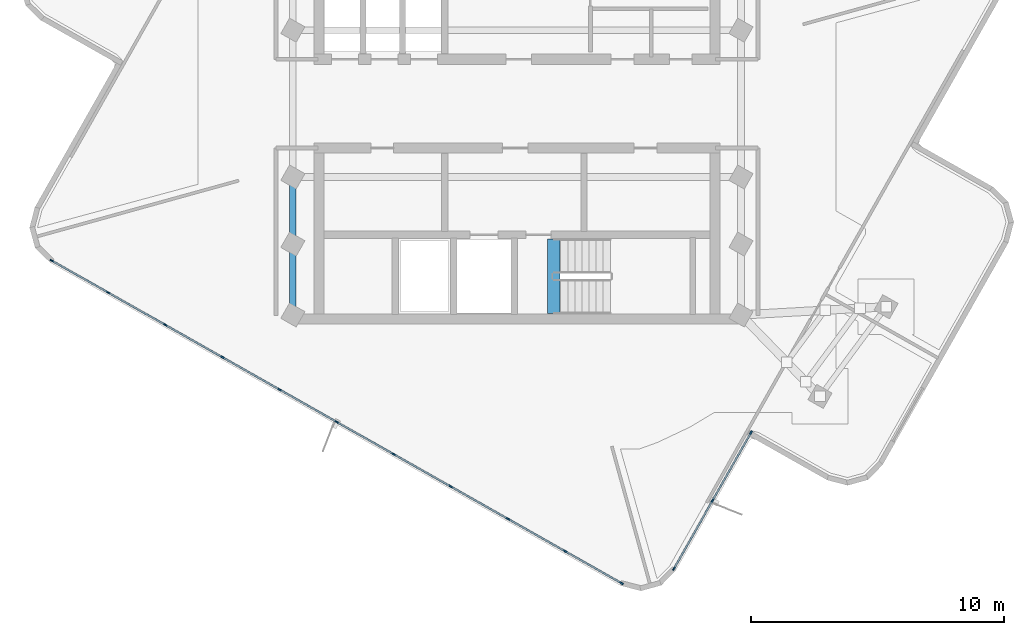
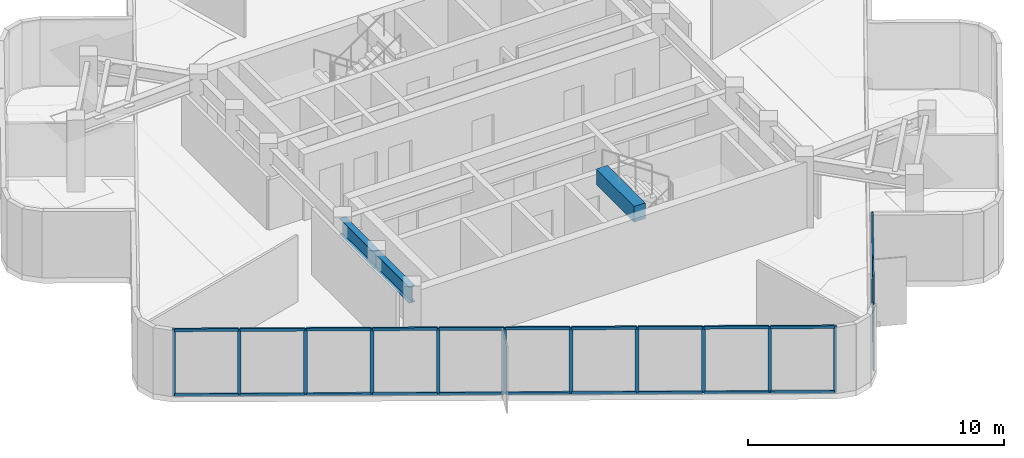
# One storey, part 2 of 9: 38 members, 3 beams, 2 elements without a shape of their own.
"""IFC4 building model written with IfcOpenShell, lengths in metres."""

from ifc_helpers import new_model, si_unit, direction, frame, origin, origin_2d, place, context, subcontext, project, spatial, rectangle, i_section, extrude, material, layer, layer_set, material_profile, profile_set, type_object, element, aggregate, save


model = new_model("IFC4")

# Units and contexts
model_context = context("Model", 3, precision=1e-05, world=origin(), true_north=direction((0.0, 1.0)))
body_context = subcontext(model_context, "Body", "Model", "MODEL_VIEW")
ifc_project = project(units=[si_unit("LENGTHUNIT", "METRE"), si_unit("AREAUNIT", "SQUARE_METRE"), si_unit("VOLUMEUNIT", "CUBIC_METRE"), si_unit("PLANEANGLEUNIT", "RADIAN"), si_unit("MASSUNIT", "GRAM", prefix="KILO")], contexts=[model_context])

# Site, building, storey
site_placement = place(None, origin())
site = spatial("IfcSite", under=ifc_project, at=site_placement, CompositionType="ELEMENT")
building_placement = place(site_placement, origin())
building = spatial("IfcBuilding", under=site, at=building_placement, Name="Solmarez Civic Tower", CompositionType="ELEMENT")
storey_placement = place(building_placement, frame((0.0, 0.0, 278.280029296875)))
storey = spatial("IfcBuildingStorey", under=building, at=storey_placement, Name="L75", CompositionType="ELEMENT", Elevation=278.280029296875)

# Beams
ifc_material_1 = material(Name="Concrete C50/60", Category="concrete")
ifc_material_profile_1 = material_profile(ifc_material_1, rectangle(XDim=0.5, YDim=0.75, at=origin_2d()), Name="RC500X750")
ifc_profile_set_1 = profile_set([ifc_material_profile_1], Name="Concrete C50/60")
beam_type_1 = type_object("IfcBeamType", Name="BM-PR-RC500X750", PredefinedType="BEAM", material=ifc_profile_set_1)
beam_1_placement = place(storey_placement, frame((1.449951171875, -8.300048828125, 3.052978515625), z_axis=(0.0, 1.0, 0.0), x_axis=(-1.0, 0.0, 0.0)))
element("IfcBeam", 1, at=beam_1_placement, inside=storey, type_object=beam_type_1, Name="L75 South Stair Threshold Beam", PredefinedType="BEAM", context=body_context, shape_type="SweptSolid", body=[
    extrude(rectangle(XDim=0.5, YDim=0.75, at=origin_2d()), origin(), (0.0, 0.0, 1.0), 2.9599609375),
])
ifc_material_2 = material(Name="Steel S355", Category="steel")
ifc_material_profile_2 = material_profile(ifc_material_2, i_section(OverallWidth=0.26708984375, OverallDepth=0.761962890625, WebThickness=0.014404296875, FlangeThickness=0.021484375, at=origin_2d()), Name="W30X116")
ifc_profile_set_2 = profile_set([ifc_material_profile_2], Name="Steel S355")
beam_type_2 = type_object("IfcBeamType", Name="BM-PR-W30X116", PredefinedType="BEAM", material=ifc_profile_set_2)
beam_2_placement = place(storey_placement, frame((-8.85009765625, -8.35009765625, 2.779052734375), z_axis=(0.0, 1.0, 0.0), x_axis=(-1.0, 0.0, 0.0)))
element("IfcBeam", 2, at=beam_2_placement, inside=storey, type_object=beam_type_2, Name="L75 Primary Floor Beam BM-L75-HC12-HC1", PredefinedType="BEAM", context=body_context, shape_type="SweptSolid", body=[
    extrude(i_section(OverallWidth=0.26708984375, OverallDepth=0.761962890625, WebThickness=0.014404296875, FlangeThickness=0.021484375, at=origin_2d()), origin(), (0.0, 0.0, 1.0), 2.800048828125),
])
beam_3_placement = place(storey_placement, frame((-8.85009765625, -5.550048828125, 2.779052734375), z_axis=(0.0, 1.0, 0.0), x_axis=(-1.0, 0.0, 0.0)))
element("IfcBeam", 3, at=beam_3_placement, inside=storey, type_object=beam_type_2, Name="L75 Primary Floor Beam BM-L75-HC1-HC2", PredefinedType="BEAM", context=body_context, shape_type="SweptSolid", body=[
    extrude(i_section(OverallWidth=0.26708984375, OverallDepth=0.761962890625, WebThickness=0.014404296875, FlangeThickness=0.021484375, at=origin_2d()), origin(), (0.0, 0.0, 1.0), 2.650146484375),
])

# Curtain wall, members
ifc_material_3 = material(Name="Bronze Anodised Aluminium EN AW-6063 T6", Category="aluminium")
ifc_layer = layer(ifc_material_3, 0.1650390625)
ifc_layer_set = layer_set([ifc_layer], Name="Bronze Anodised Aluminium EN AW-6063 T6")
curtain_wall_type = type_object("IfcCurtainWallType", Name="CW-SYS-4", PredefinedType="NOTDEFINED", material=ifc_layer_set)
curtain_wall_1_placement = place(storey_placement, origin())
curtain_wall_1 = element("IfcCurtainWall", 4, at=curtain_wall_1_placement, inside=storey, type_object=curtain_wall_type, Name="L75 Stick-Built Curtain Wall 1", PredefinedType="NOTDEFINED")
ifc_material_profile_3 = material_profile(ifc_material_3, rectangle(XDim=0.06005859375, YDim=0.14990234375, at=origin_2d()), Name="CWM-60X150")
ifc_profile_set_3 = profile_set([ifc_material_profile_3], Name="Bronze Anodised Aluminium EN AW-6063 T6")
member_type_1 = type_object("IfcMemberType", Name="CWM-TYPE-4", PredefinedType="MULLION", material=ifc_profile_set_3)
member_1_placement = place(storey_placement, frame((9.247314453125, -12.994140625, 0.0), z_axis=(0.0, 0.0, 1.0), x_axis=(0.870267223649, -0.492579901581, 0.0)))
member_1 = element("IfcMember", 5, at=member_1_placement, type_object=member_type_1, Name="CWS4 mullion 1", PredefinedType="MULLION", context=body_context, shape_type="SweptSolid", body=[
    extrude(rectangle(XDim=0.06005859375, YDim=0.14990234375, at=origin_2d()), origin(), (0.0, 0.0, 1.0), 3.159912109375),
])
member_2_placement = place(storey_placement, frame((7.72509765625, -15.68359375, 0.0), z_axis=(0.0, 0.0, 1.0), x_axis=(0.870267223649, -0.492579901581, 0.0)))
member_2 = element("IfcMember", 6, at=member_2_placement, type_object=member_type_1, Name="CWS4 mullion 2", PredefinedType="MULLION", context=body_context, shape_type="SweptSolid", body=[
    extrude(rectangle(XDim=0.06005859375, YDim=0.14990234375, at=origin_2d()), origin(), (0.0, 0.0, 1.0), 3.159912109375),
])
member_3_placement = place(storey_placement, frame((6.202880859375, -18.372802734375, 0.0), z_axis=(0.0, 0.0, 1.0), x_axis=(0.870267223649, -0.492579901581, 0.0)))
member_3 = element("IfcMember", 7, at=member_3_placement, type_object=member_type_1, Name="CWS4 mullion 3", PredefinedType="MULLION", context=body_context, shape_type="SweptSolid", body=[
    extrude(rectangle(XDim=0.06005859375, YDim=0.14990234375, at=origin_2d()), origin(), (0.0, 0.0, 1.0), 3.159912109375),
])

curtain_wall_2_placement = place(storey_placement, origin())
curtain_wall_2 = element("IfcCurtainWall", 8, at=curtain_wall_2_placement, inside=storey, type_object=curtain_wall_type, Name="L75 Stick-Built Curtain Wall 2", PredefinedType="NOTDEFINED")
member_4_placement = place(storey_placement, frame((4.1337890625, -18.9453125, 0.0), z_axis=(0.0, 0.0, 1.0), x_axis=(-0.49267869567, -0.870211297808, 0.0)))
member_4 = element("IfcMember", 9, at=member_4_placement, type_object=member_type_1, Name="CWS4 mullion 1", PredefinedType="MULLION", context=body_context, shape_type="SweptSolid", body=[
    extrude(rectangle(XDim=0.06005859375, YDim=0.14990234375, at=origin_2d()), origin(), (0.0, 0.0, 1.0), 3.159912109375),
])
member_5_placement = place(storey_placement, frame((1.904052734375, -17.682861328125, 0.0), z_axis=(0.0, 0.0, 1.0), x_axis=(-0.49267869567, -0.870211297808, 0.0)))
member_5 = element("IfcMember", 10, at=member_5_placement, type_object=member_type_1, Name="CWS4 mullion 2", PredefinedType="MULLION", context=body_context, shape_type="SweptSolid", body=[
    extrude(rectangle(XDim=0.06005859375, YDim=0.14990234375, at=origin_2d()), origin(), (0.0, 0.0, 1.0), 3.159912109375),
])
member_6_placement = place(storey_placement, frame((-0.351806640625, -16.405517578125, 0.0), z_axis=(0.0, 0.0, 1.0), x_axis=(-0.49267869567, -0.870211297808, 0.0)))
member_6 = element("IfcMember", 11, at=member_6_placement, type_object=member_type_1, Name="CWS4 mullion 3", PredefinedType="MULLION", context=body_context, shape_type="SweptSolid", body=[
    extrude(rectangle(XDim=0.06005859375, YDim=0.14990234375, at=origin_2d()), origin(), (0.0, 0.0, 1.0), 3.159912109375),
])
member_7_placement = place(storey_placement, frame((-2.607666015625, -15.12841796875, 0.0), z_axis=(0.0, 0.0, 1.0), x_axis=(-0.49267869567, -0.870211297808, 0.0)))
member_7 = element("IfcMember", 12, at=member_7_placement, type_object=member_type_1, Name="CWS4 mullion 4", PredefinedType="MULLION", context=body_context, shape_type="SweptSolid", body=[
    extrude(rectangle(XDim=0.06005859375, YDim=0.14990234375, at=origin_2d()), origin(), (0.0, 0.0, 1.0), 3.159912109375),
])
member_8_placement = place(storey_placement, frame((-4.863525390625, -13.851318359375, 0.0), z_axis=(0.0, 0.0, 1.0), x_axis=(-0.49267869567, -0.870211297808, 0.0)))
member_8 = element("IfcMember", 13, at=member_8_placement, type_object=member_type_1, Name="CWS4 mullion 5", PredefinedType="MULLION", context=body_context, shape_type="SweptSolid", body=[
    extrude(rectangle(XDim=0.06005859375, YDim=0.14990234375, at=origin_2d()), origin(), (0.0, 0.0, 1.0), 3.159912109375),
])
member_9_placement = place(storey_placement, frame((-7.119384765625, -12.573974609375, 0.0), z_axis=(0.0, 0.0, 1.0), x_axis=(-0.49267869567, -0.870211297808, 0.0)))
member_9 = element("IfcMember", 14, at=member_9_placement, type_object=member_type_1, Name="CWS4 mullion 6", PredefinedType="MULLION", context=body_context, shape_type="SweptSolid", body=[
    extrude(rectangle(XDim=0.06005859375, YDim=0.14990234375, at=origin_2d()), origin(), (0.0, 0.0, 1.0), 3.159912109375),
])
member_10_placement = place(storey_placement, frame((-9.37548828125, -11.296875, 0.0), z_axis=(0.0, 0.0, 1.0), x_axis=(-0.49267869567, -0.870211297808, 0.0)))
member_10 = element("IfcMember", 15, at=member_10_placement, type_object=member_type_1, Name="CWS4 mullion 7", PredefinedType="MULLION", context=body_context, shape_type="SweptSolid", body=[
    extrude(rectangle(XDim=0.06005859375, YDim=0.14990234375, at=origin_2d()), origin(), (0.0, 0.0, 1.0), 3.159912109375),
])
member_11_placement = place(storey_placement, frame((-11.63134765625, -10.01953125, 0.0), z_axis=(0.0, 0.0, 1.0), x_axis=(-0.49267869567, -0.870211297808, 0.0)))
member_11 = element("IfcMember", 16, at=member_11_placement, type_object=member_type_1, Name="CWS4 mullion 8", PredefinedType="MULLION", context=body_context, shape_type="SweptSolid", body=[
    extrude(rectangle(XDim=0.06005859375, YDim=0.14990234375, at=origin_2d()), origin(), (0.0, 0.0, 1.0), 3.159912109375),
])
member_12_placement = place(storey_placement, frame((-13.88720703125, -8.742431640625, 0.0), z_axis=(0.0, 0.0, 1.0), x_axis=(-0.49267869567, -0.870211297808, 0.0)))
member_12 = element("IfcMember", 17, at=member_12_placement, type_object=member_type_1, Name="CWS4 mullion 9", PredefinedType="MULLION", context=body_context, shape_type="SweptSolid", body=[
    extrude(rectangle(XDim=0.06005859375, YDim=0.14990234375, at=origin_2d()), origin(), (0.0, 0.0, 1.0), 3.159912109375),
])
member_13_placement = place(storey_placement, frame((-16.14306640625, -7.465087890625, 0.0), z_axis=(0.0, 0.0, 1.0), x_axis=(-0.49267869567, -0.870211297808, 0.0)))
member_13 = element("IfcMember", 18, at=member_13_placement, type_object=member_type_1, Name="CWS4 mullion 10", PredefinedType="MULLION", context=body_context, shape_type="SweptSolid", body=[
    extrude(rectangle(XDim=0.06005859375, YDim=0.14990234375, at=origin_2d()), origin(), (0.0, 0.0, 1.0), 3.159912109375),
])
member_14_placement = place(storey_placement, frame((-18.372802734375, -6.202880859375, 0.0), z_axis=(0.0, 0.0, 1.0), x_axis=(-0.49267869567, -0.870211297808, 0.0)))
member_14 = element("IfcMember", 19, at=member_14_placement, type_object=member_type_1, Name="CWS4 mullion 11", PredefinedType="MULLION", context=body_context, shape_type="SweptSolid", body=[
    extrude(rectangle(XDim=0.06005859375, YDim=0.14990234375, at=origin_2d()), origin(), (0.0, 0.0, 1.0), 3.159912109375),
])

# Member
ifc_material_profile_4 = material_profile(ifc_material_3, rectangle(XDim=0.070068359375, YDim=0.139892578125, at=origin_2d()), Name="CWT-70X140")
ifc_profile_set_4 = profile_set([ifc_material_profile_4], Name="Bronze Anodised Aluminium EN AW-6063 T6")
member_type_2 = type_object("IfcMemberType", Name="CWT-TYPE-1", PredefinedType="USERDEFINED", material=ifc_profile_set_4)
member_15_placement = place(storey_placement, frame((9.232421875, -13.020263671875, 0.034912109375), z_axis=(-0.492577497282, -0.870268584502, 0.0), x_axis=(0.870268584502, -0.492577497282, 0.0)))
member_15 = element("IfcMember", 20, at=member_15_placement, type_object=member_type_2, Name="CWS4 transom 1.1", ObjectType="TRANSOM", PredefinedType="USERDEFINED", context=body_context, shape_type="SweptSolid", body=[
    extrude(rectangle(XDim=0.070068359375, YDim=0.139892578125, at=origin_2d()), origin(), (0.0, 0.0, 1.0), 3.0302734375),
])

member_16_placement = place(storey_placement, frame((9.232421875, -13.020263671875, 3.125), z_axis=(-0.492577497282, -0.870268584502, 0.0), x_axis=(0.870268584502, -0.492577497282, 0.0)))
member_16 = element("IfcMember", 21, at=member_16_placement, type_object=member_type_2, Name="CWS4 transom 1.2", ObjectType="TRANSOM", PredefinedType="USERDEFINED", context=body_context, shape_type="SweptSolid", body=[
    extrude(rectangle(XDim=0.070068359375, YDim=0.139892578125, at=origin_2d()), origin(), (0.0, 0.0, 1.0), 3.0302734375),
])

member_17_placement = place(storey_placement, frame((7.710205078125, -15.709716796875, 0.034912109375), z_axis=(-0.492612035711, -0.870249034629, 0.0), x_axis=(0.870249034629, -0.492612035711, 0.0)))
member_17 = element("IfcMember", 22, at=member_17_placement, type_object=member_type_2, Name="CWS4 transom 2.1", ObjectType="TRANSOM", PredefinedType="USERDEFINED", context=body_context, shape_type="SweptSolid", body=[
    extrude(rectangle(XDim=0.070068359375, YDim=0.139892578125, at=origin_2d()), origin(), (0.0, 0.0, 1.0), 3.030029296875),
])

member_18_placement = place(storey_placement, frame((7.710205078125, -15.709716796875, 3.125), z_axis=(-0.492612035711, -0.870249034629, 0.0), x_axis=(0.870249034629, -0.492612035711, 0.0)))
member_18 = element("IfcMember", 23, at=member_18_placement, type_object=member_type_2, Name="CWS4 transom 2.2", ObjectType="TRANSOM", PredefinedType="USERDEFINED", context=body_context, shape_type="SweptSolid", body=[
    extrude(rectangle(XDim=0.070068359375, YDim=0.139892578125, at=origin_2d()), origin(), (0.0, 0.0, 1.0), 3.030029296875),
])

aggregate(curtain_wall_1, [member_1, member_2, member_3, member_15, member_16, member_17, member_18])

member_19_placement = place(storey_placement, frame((4.107666015625, -18.930419921875, 0.034912109375), z_axis=(-0.87019371525, 0.492709750198, 0.0), x_axis=(-0.492709750198, -0.87019371525, 0.0)))
member_19 = element("IfcMember", 24, at=member_19_placement, type_object=member_type_2, Name="CWS4 transom 1.1", ObjectType="TRANSOM", PredefinedType="USERDEFINED", context=body_context, shape_type="SweptSolid", body=[
    extrude(rectangle(XDim=0.070068359375, YDim=0.139892578125, at=origin_2d()), origin(), (0.0, 0.0, 1.0), 2.502197265625),
])

member_20_placement = place(storey_placement, frame((4.107666015625, -18.930419921875, 3.125), z_axis=(-0.87019371525, 0.492709750198, 0.0), x_axis=(-0.492709750198, -0.87019371525, 0.0)))
member_20 = element("IfcMember", 25, at=member_20_placement, type_object=member_type_2, Name="CWS4 transom 1.2", ObjectType="TRANSOM", PredefinedType="USERDEFINED", context=body_context, shape_type="SweptSolid", body=[
    extrude(rectangle(XDim=0.070068359375, YDim=0.139892578125, at=origin_2d()), origin(), (0.0, 0.0, 1.0), 2.502197265625),
])

member_21_placement = place(storey_placement, frame((1.8779296875, -17.66796875, 0.034912109375), z_axis=(-0.870217861101, 0.492667102839, 0.0), x_axis=(-0.492667102839, -0.870217861101, 0.0)))
member_21 = element("IfcMember", 26, at=member_21_placement, type_object=member_type_2, Name="CWS4 transom 2.1", ObjectType="TRANSOM", PredefinedType="USERDEFINED", context=body_context, shape_type="SweptSolid", body=[
    extrude(rectangle(XDim=0.070068359375, YDim=0.139892578125, at=origin_2d()), origin(), (0.0, 0.0, 1.0), 2.5322265625),
])

member_22_placement = place(storey_placement, frame((1.8779296875, -17.66796875, 3.125), z_axis=(-0.870217861101, 0.492667102839, 0.0), x_axis=(-0.492667102839, -0.870217861101, 0.0)))
member_22 = element("IfcMember", 27, at=member_22_placement, type_object=member_type_2, Name="CWS4 transom 2.2", ObjectType="TRANSOM", PredefinedType="USERDEFINED", context=body_context, shape_type="SweptSolid", body=[
    extrude(rectangle(XDim=0.070068359375, YDim=0.139892578125, at=origin_2d()), origin(), (0.0, 0.0, 1.0), 2.5322265625),
])

member_23_placement = place(storey_placement, frame((-0.3779296875, -16.390869140625, 0.034912109375), z_axis=(-0.870176525356, 0.492740108697, 0.0), x_axis=(-0.492740108697, -0.870176525356, 0.0)))
member_23 = element("IfcMember", 28, at=member_23_placement, type_object=member_type_2, Name="CWS4 transom 3.1", ObjectType="TRANSOM", PredefinedType="USERDEFINED", context=body_context, shape_type="SweptSolid", body=[
    extrude(rectangle(XDim=0.070068359375, YDim=0.139892578125, at=origin_2d()), origin(), (0.0, 0.0, 1.0), 2.532470703125),
])

member_24_placement = place(storey_placement, frame((-0.3779296875, -16.390869140625, 3.125), z_axis=(-0.870176525356, 0.492740108697, 0.0), x_axis=(-0.492740108697, -0.870176525356, 0.0)))
member_24 = element("IfcMember", 29, at=member_24_placement, type_object=member_type_2, Name="CWS4 transom 3.2", ObjectType="TRANSOM", PredefinedType="USERDEFINED", context=body_context, shape_type="SweptSolid", body=[
    extrude(rectangle(XDim=0.070068359375, YDim=0.139892578125, at=origin_2d()), origin(), (0.0, 0.0, 1.0), 2.532470703125),
])

member_25_placement = place(storey_placement, frame((-2.6337890625, -15.113525390625, 0.034912109375), z_axis=(-0.870217861101, 0.492667102839, 0.0), x_axis=(-0.492667102839, -0.870217861101, 0.0)))
member_25 = element("IfcMember", 30, at=member_25_placement, type_object=member_type_2, Name="CWS4 transom 4.1", ObjectType="TRANSOM", PredefinedType="USERDEFINED", context=body_context, shape_type="SweptSolid", body=[
    extrude(rectangle(XDim=0.070068359375, YDim=0.139892578125, at=origin_2d()), origin(), (0.0, 0.0, 1.0), 2.5322265625),
])

member_26_placement = place(storey_placement, frame((-2.6337890625, -15.113525390625, 3.125), z_axis=(-0.870217861101, 0.492667102839, 0.0), x_axis=(-0.492667102839, -0.870217861101, 0.0)))
member_26 = element("IfcMember", 31, at=member_26_placement, type_object=member_type_2, Name="CWS4 transom 4.2", ObjectType="TRANSOM", PredefinedType="USERDEFINED", context=body_context, shape_type="SweptSolid", body=[
    extrude(rectangle(XDim=0.070068359375, YDim=0.139892578125, at=origin_2d()), origin(), (0.0, 0.0, 1.0), 2.5322265625),
])

member_27_placement = place(storey_placement, frame((-4.8896484375, -13.83642578125, 0.034912109375), z_axis=(-0.870241259446, 0.492625771106, 0.0), x_axis=(-0.492625771106, -0.870241259446, 0.0)))
member_27 = element("IfcMember", 32, at=member_27_placement, type_object=member_type_2, Name="CWS4 transom 5.1", ObjectType="TRANSOM", PredefinedType="USERDEFINED", context=body_context, shape_type="SweptSolid", body=[
    extrude(rectangle(XDim=0.070068359375, YDim=0.139892578125, at=origin_2d()), origin(), (0.0, 0.0, 1.0), 2.532470703125),
])

member_28_placement = place(storey_placement, frame((-4.8896484375, -13.83642578125, 3.125), z_axis=(-0.870241259446, 0.492625771106, 0.0), x_axis=(-0.492625771106, -0.870241259446, 0.0)))
member_28 = element("IfcMember", 33, at=member_28_placement, type_object=member_type_2, Name="CWS4 transom 5.2", ObjectType="TRANSOM", PredefinedType="USERDEFINED", context=body_context, shape_type="SweptSolid", body=[
    extrude(rectangle(XDim=0.070068359375, YDim=0.139892578125, at=origin_2d()), origin(), (0.0, 0.0, 1.0), 2.532470703125),
])

member_29_placement = place(storey_placement, frame((-7.1455078125, -12.559326171875, 0.034912109375), z_axis=(-0.870199929525, 0.492698774765, 0.0), x_axis=(-0.492698774765, -0.870199929525, 0.0)))
member_29 = element("IfcMember", 34, at=member_29_placement, type_object=member_type_2, Name="CWS4 transom 6.1", ObjectType="TRANSOM", PredefinedType="USERDEFINED", context=body_context, shape_type="SweptSolid", body=[
    extrude(rectangle(XDim=0.070068359375, YDim=0.139892578125, at=origin_2d()), origin(), (0.0, 0.0, 1.0), 2.532470703125),
])

member_30_placement = place(storey_placement, frame((-7.1455078125, -12.559326171875, 3.125), z_axis=(-0.870199929525, 0.492698774765, 0.0), x_axis=(-0.492698774765, -0.870199929525, 0.0)))
member_30 = element("IfcMember", 35, at=member_30_placement, type_object=member_type_2, Name="CWS4 transom 6.2", ObjectType="TRANSOM", PredefinedType="USERDEFINED", context=body_context, shape_type="SweptSolid", body=[
    extrude(rectangle(XDim=0.070068359375, YDim=0.139892578125, at=origin_2d()), origin(), (0.0, 0.0, 1.0), 2.532470703125),
])

member_31_placement = place(storey_placement, frame((-9.401611328125, -11.281982421875, 0.034912109375), z_axis=(-0.870217861101, 0.492667102839, 0.0), x_axis=(-0.492667102839, -0.870217861101, 0.0)))
member_31 = element("IfcMember", 36, at=member_31_placement, type_object=member_type_2, Name="CWS4 transom 7.1", ObjectType="TRANSOM", PredefinedType="USERDEFINED", context=body_context, shape_type="SweptSolid", body=[
    extrude(rectangle(XDim=0.070068359375, YDim=0.139892578125, at=origin_2d()), origin(), (0.0, 0.0, 1.0), 2.5322265625),
])

member_32_placement = place(storey_placement, frame((-9.401611328125, -11.281982421875, 3.125), z_axis=(-0.870217861101, 0.492667102839, 0.0), x_axis=(-0.492667102839, -0.870217861101, 0.0)))
member_32 = element("IfcMember", 37, at=member_32_placement, type_object=member_type_2, Name="CWS4 transom 7.2", ObjectType="TRANSOM", PredefinedType="USERDEFINED", context=body_context, shape_type="SweptSolid", body=[
    extrude(rectangle(XDim=0.070068359375, YDim=0.139892578125, at=origin_2d()), origin(), (0.0, 0.0, 1.0), 2.5322265625),
])

member_33_placement = place(storey_placement, frame((-11.657470703125, -10.0048828125, 0.034912109375), z_axis=(-0.870176525356, 0.492740108697, 0.0), x_axis=(-0.492740108697, -0.870176525356, 0.0)))
member_33 = element("IfcMember", 38, at=member_33_placement, type_object=member_type_2, Name="CWS4 transom 8.1", ObjectType="TRANSOM", PredefinedType="USERDEFINED", context=body_context, shape_type="SweptSolid", body=[
    extrude(rectangle(XDim=0.070068359375, YDim=0.139892578125, at=origin_2d()), origin(), (0.0, 0.0, 1.0), 2.532470703125),
])

member_34_placement = place(storey_placement, frame((-11.657470703125, -10.0048828125, 3.125), z_axis=(-0.870176525356, 0.492740108697, 0.0), x_axis=(-0.492740108697, -0.870176525356, 0.0)))
member_34 = element("IfcMember", 39, at=member_34_placement, type_object=member_type_2, Name="CWS4 transom 8.2", ObjectType="TRANSOM", PredefinedType="USERDEFINED", context=body_context, shape_type="SweptSolid", body=[
    extrude(rectangle(XDim=0.070068359375, YDim=0.139892578125, at=origin_2d()), origin(), (0.0, 0.0, 1.0), 2.532470703125),
])

member_35_placement = place(storey_placement, frame((-13.913330078125, -8.7275390625, 0.034912109375), z_axis=(-0.870217861101, 0.492667102839, 0.0), x_axis=(-0.492667102839, -0.870217861101, 0.0)))
member_35 = element("IfcMember", 40, at=member_35_placement, type_object=member_type_2, Name="CWS4 transom 9.1", ObjectType="TRANSOM", PredefinedType="USERDEFINED", context=body_context, shape_type="SweptSolid", body=[
    extrude(rectangle(XDim=0.070068359375, YDim=0.139892578125, at=origin_2d()), origin(), (0.0, 0.0, 1.0), 2.5322265625),
])

member_36_placement = place(storey_placement, frame((-13.913330078125, -8.7275390625, 3.125), z_axis=(-0.870217861101, 0.492667102839, 0.0), x_axis=(-0.492667102839, -0.870217861101, 0.0)))
member_36 = element("IfcMember", 41, at=member_36_placement, type_object=member_type_2, Name="CWS4 transom 9.2", ObjectType="TRANSOM", PredefinedType="USERDEFINED", context=body_context, shape_type="SweptSolid", body=[
    extrude(rectangle(XDim=0.070068359375, YDim=0.139892578125, at=origin_2d()), origin(), (0.0, 0.0, 1.0), 2.5322265625),
])

member_37_placement = place(storey_placement, frame((-16.169189453125, -7.450439453125, 0.034912109375), z_axis=(-0.87019371525, 0.492709750198, 0.0), x_axis=(-0.492709750198, -0.87019371525, 0.0)))
member_37 = element("IfcMember", 42, at=member_37_placement, type_object=member_type_2, Name="CWS4 transom 10.1", ObjectType="TRANSOM", PredefinedType="USERDEFINED", context=body_context, shape_type="SweptSolid", body=[
    extrude(rectangle(XDim=0.070068359375, YDim=0.139892578125, at=origin_2d()), origin(), (0.0, 0.0, 1.0), 2.502197265625),
])

member_38_placement = place(storey_placement, frame((-16.169189453125, -7.450439453125, 3.125), z_axis=(-0.87019371525, 0.492709750198, 0.0), x_axis=(-0.492709750198, -0.87019371525, 0.0)))
member_38 = element("IfcMember", 43, at=member_38_placement, type_object=member_type_2, Name="CWS4 transom 10.2", ObjectType="TRANSOM", PredefinedType="USERDEFINED", context=body_context, shape_type="SweptSolid", body=[
    extrude(rectangle(XDim=0.070068359375, YDim=0.139892578125, at=origin_2d()), origin(), (0.0, 0.0, 1.0), 2.502197265625),
])

aggregate(curtain_wall_2, [member_4, member_5, member_6, member_7, member_8, member_9, member_10, member_11, member_12, member_13, member_14, member_19, member_20, member_21, member_22, member_23, member_24, member_25, member_26, member_27, member_28, member_29, member_30, member_31, member_32, member_33, member_34, member_35, member_36, member_37, member_38])

save(model, "model.ifc")
